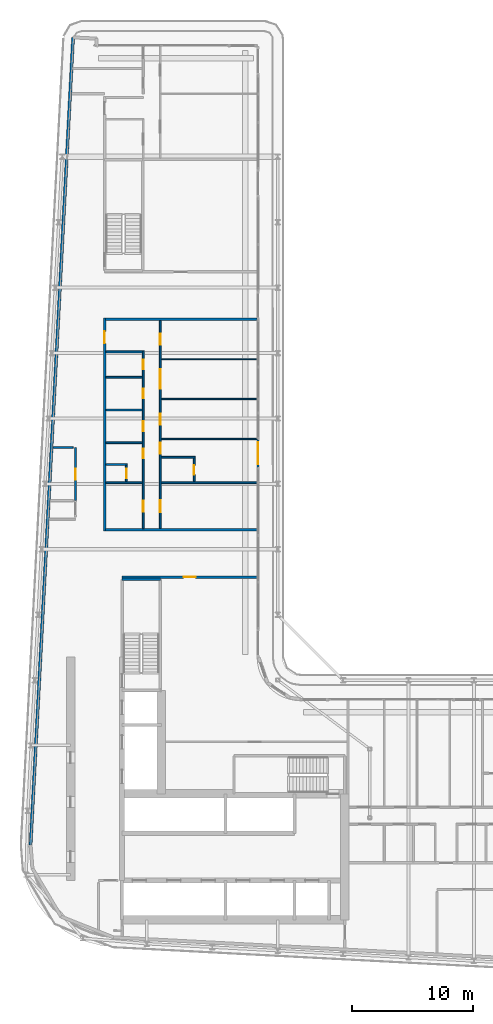
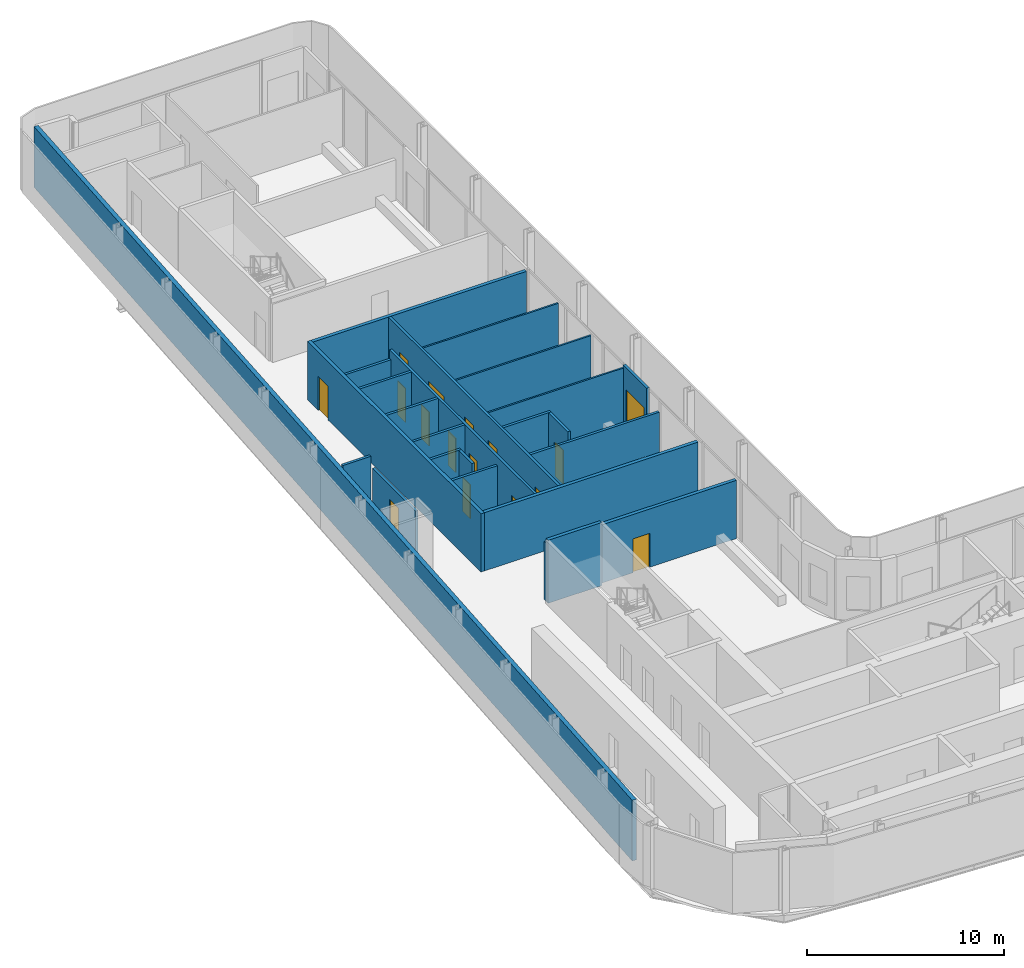
# One storey, part 14 of 23: 24 walls, 16 doors, 16 openings.
"""IFC4 building model written with IfcOpenShell, lengths in metres."""

from ifc_helpers import new_model, si_unit, direction, frame, frame_2d, origin, place, context, subcontext, project, spatial, rectangle, extrude, source, transform, mapped, material, layer, layer_set, type_object, element, fill, save


model = new_model("IFC4")

# Units and contexts
model_context = context("Model", 3, precision=1e-05, world=origin(), true_north=direction((0.0, 1.0)))
body_context = subcontext(model_context, "Body", "Model", "MODEL_VIEW")
ifc_project = project(units=[si_unit("LENGTHUNIT", "METRE"), si_unit("AREAUNIT", "SQUARE_METRE"), si_unit("VOLUMEUNIT", "CUBIC_METRE"), si_unit("PLANEANGLEUNIT", "RADIAN"), si_unit("MASSUNIT", "GRAM", prefix="KILO")], contexts=[model_context])

# Site, building, storey
site_placement = place(None, origin())
site = spatial("IfcSite", under=ifc_project, at=site_placement, CompositionType="ELEMENT")
building_placement = place(site_placement, origin())
building = spatial("IfcBuilding", under=site, at=building_placement, Name="Kheshtan School and Residences Tower", CompositionType="ELEMENT")
storey_placement = place(building_placement, frame((0.0, 0.0, 243.5)))
storey = spatial("IfcBuildingStorey", under=building, at=storey_placement, Name="L57", CompositionType="ELEMENT", Elevation=243.5)

# Wall, opening, door
ifc_material_1 = material(Name="Gypsum board on steel studs with fire boards", Category="steel")
ifc_layer_1 = layer(ifc_material_1, 0.199951171875)
ifc_layer_set_1 = layer_set([ifc_layer_1], Name="Corridor wall 200")
wall_type_1 = type_object("IfcWallType", Name="Corridor wall 200", PredefinedType="PARTITIONING", material=ifc_layer_set_1)
wall_1_placement = place(storey_placement, frame((33.300048828125, 57.89990234375, 0.0), z_axis=(0.0, 0.0, 1.0), x_axis=(0.0, 1.0, 0.0)))
wall_1 = element("IfcWall", 1, at=wall_1_placement, inside=storey, type_object=wall_type_1, Name="Partition L57-003", PredefinedType="PARTITIONING", context=body_context, shape_type="SweptSolid", body=[
    extrude(rectangle(XDim=17.60009765625, YDim=0.199951171875, at=frame_2d((8.800048828125, 0.0))), origin(), (0.0, 0.0, 1.0), 3.60009765625),
])
opening_1_placement = place(wall_1_placement, frame((15.5, 0.0, 0.0)))
opening_1 = element("IfcOpeningElement", 2, at=opening_1_placement, cuts=wall_1, Name="Opening D56-032", PredefinedType="OPENING", context=body_context, shape_type="SweptSolid", body=[
    extrude(rectangle(XDim=1.0, YDim=2.10009765625, at=frame_2d((0.5, 1.050048828125))), frame((0.0, 0.10986328125, 0.0), z_axis=(0.0, -1.0, 0.0), x_axis=(1.0, 0.0, 0.0)), (0.0, 0.0, 1.0), 0.219970703125),
])
ifc_material_2 = material(Name="Steel-framed fire-resisting door leaf", Category="steel")
door_type_1 = type_object("IfcDoorType", Name="Fire door FD30S 1000 x 2100", OperationType="SINGLE_SWING_LEFT", PredefinedType="DOOR", material=ifc_material_2)
shared_shape_1 = source(origin(), body_context, "Body", "SweptSolid", [
    extrude(rectangle(XDim=1.0, YDim=2.10009765625, at=frame_2d((0.5, 1.050048828125))), frame((0.0, 0.02490234375, 0.0), z_axis=(0.0, -1.0, 0.0), x_axis=(1.0, 0.0, 0.0)), (0.0, 0.0, 1.0), 0.050048828125),
])
door_1_placement = place(opening_1_placement, origin())
door_1 = element("IfcDoor", 3, at=door_1_placement, inside=storey, type_object=door_type_1, Name="Door D56-032", OperationType="SINGLE_SWING_RIGHT", OverallHeight=2.10009765625, OverallWidth=1.0, PredefinedType="DOOR", context=body_context, shape_type="MappedRepresentation", body=[
    mapped(shared_shape_1, transform((0.0, 0.0, 0.0), x_axis=(1.0, 0.0, 0.0), y_axis=(0.0, 1.0, 0.0), z_axis=(0.0, 0.0, 1.0), scale=1.0)),
])
fill(opening_1, door_1)

# Walls
for number, where, z_axis, x_axis, name in (
    (4, (33.39990234375, 58.0, 0.0), (0.0, 0.0, 1.0), (1.0, 0.0, 0.0), "Partition L57-006"),
    (5, (33.39990234375, 75.39990234375, 0.0), (0.0, 0.0, 1.0), (1.0, 0.0, 0.0), "Partition L57-013"),
):
    element("IfcWall", number, at=place(storey_placement, frame(where, z_axis=z_axis, x_axis=x_axis)), inside=storey, type_object=wall_type_1, Name=name, PredefinedType="PARTITIONING", context=body_context, shape_type="SweptSolid", body=[
        extrude(rectangle(XDim=12.5, YDim=0.199951171875, at=frame_2d((6.25, 0.0))), origin(), (0.0, 0.0, 1.0), 3.60009765625),
    ])

# Wall, opening, door
wall_2_placement = place(storey_placement, frame((34.75, 54.10009765625, 0.0), z_axis=(0.0, 0.0, 1.0), x_axis=(1.0, 0.0, 0.0)))
wall_2 = element("IfcWall", 6, at=wall_2_placement, inside=storey, type_object=wall_type_1, Name="Partition L57-018", PredefinedType="PARTITIONING", context=body_context, shape_type="SweptSolid", body=[
    extrude(rectangle(XDim=11.14990234375, YDim=0.199951171875, at=frame_2d((5.574951171875, 0.0))), origin(), (0.0, 0.0, 1.0), 3.60009765625),
])
opening_2_placement = place(wall_2_placement, frame((5.074951171875, 0.0, 0.0)))
opening_2 = element("IfcOpeningElement", 7, at=opening_2_placement, cuts=wall_2, Name="Opening D56-048", PredefinedType="OPENING", context=body_context, shape_type="SweptSolid", body=[
    extrude(rectangle(XDim=1.0, YDim=2.10009765625, at=frame_2d((0.5, 1.050048828125))), frame((0.0, 0.10986328125, 0.0), z_axis=(0.0, -1.0, 0.0), x_axis=(1.0, 0.0, 0.0)), (0.0, 0.0, 1.0), 0.219970703125),
])
door_type_2 = type_object("IfcDoorType", Name="Fire door FD60 1000 x 2100", OperationType="SINGLE_SWING_LEFT", PredefinedType="DOOR", material=ifc_material_2)
shared_shape_2 = source(origin(), body_context, "Body", "SweptSolid", [
    extrude(rectangle(XDim=1.0, YDim=2.10009765625, at=frame_2d((0.5, 1.050048828125))), frame((0.0, 0.02490234375, 0.0), z_axis=(0.0, -1.0, 0.0), x_axis=(1.0, 0.0, 0.0)), (0.0, 0.0, 1.0), 0.050048828125),
])
door_2_placement = place(opening_2_placement, origin())
door_2 = element("IfcDoor", 8, at=door_2_placement, inside=storey, type_object=door_type_2, Name="Door D56-048", OperationType="SINGLE_SWING_RIGHT", OverallHeight=2.10009765625, OverallWidth=1.0, PredefinedType="DOOR", context=body_context, shape_type="MappedRepresentation", body=[
    mapped(shared_shape_2, transform((0.0, 0.0, 0.0), x_axis=(1.0, 0.0, 0.0), y_axis=(0.0, 1.0, 0.0), z_axis=(0.0, 0.0, 1.0), scale=1.0)),
])
fill(opening_2, door_2)

# Wall
ifc_material_3 = material(Name="Concrete C40/50 with ceramic cladding and mineral wool insulation", Category="concrete")
ifc_layer_2 = layer(ifc_material_3, 0.25)
ifc_layer_set_2 = layer_set([ifc_layer_2], Name="External wall 250 ceramic clad")
wall_type_2 = type_object("IfcWallType", Name="External wall 250 ceramic clad", PredefinedType="SOLIDWALL", material=ifc_layer_set_2)
wall_3_placement = place(storey_placement, frame((27.195068359375, 31.968994140625, 0.0), z_axis=(0.0, 0.0, 1.0), x_axis=(0.052554995867, 0.998618031286, 0.0)))
element("IfcWall", 9, at=wall_3_placement, inside=storey, type_object=wall_type_2, Name="External wall L57 4", PredefinedType="SOLIDWALL", context=body_context, shape_type="SweptSolid", body=[
    extrude(rectangle(XDim=66.787353515625, YDim=0.25, at=frame_2d((33.3935546875, 0.0))), origin(), (0.0, 0.0, 1.0), 3.75),
])

# Wall, opening, door
ifc_material_4 = material(Name="Aluminium frame wall with insulated infill", Category="aluminium")
ifc_layer_3 = layer(ifc_material_4, 0.14990234375)
ifc_layer_set_3 = layer_set([ifc_layer_3], Name="Glazing frame wall 150")
wall_type_3 = type_object("IfcWallType", Name="Glazing frame wall 150", PredefinedType="SOLIDWALL", material=ifc_layer_set_3)
wall_4_placement = place(storey_placement, frame((45.97509765625, 65.51806640625, 0.0), z_axis=(0.0, 0.0, 1.0), x_axis=(0.0, -1.0, 0.0)))
wall_4 = element("IfcWall", 10, at=wall_4_placement, inside=storey, type_object=wall_type_3, Name="Balcony door wall L57 8.4", PredefinedType="SOLIDWALL", context=body_context, shape_type="SweptSolid", body=[
    extrude(rectangle(XDim=2.400146484375, YDim=0.14990234375, at=frame_2d((1.2001953125, 0.0))), origin(), (0.0, 0.0, 1.0), 3.75),
])
opening_3_placement = place(wall_4_placement, frame((0.300048828125, 0.0, 0.0)))
opening_3 = element("IfcOpeningElement", 11, at=opening_3_placement, cuts=wall_4, Name="Opening BD", PredefinedType="OPENING", context=body_context, shape_type="SweptSolid", body=[
    extrude(rectangle(XDim=1.800048828125, YDim=2.39990234375, at=frame_2d((0.89990234375, 1.199951171875))), frame((0.0, 0.0849609375, 0.0), z_axis=(0.0, -1.0, 0.0), x_axis=(1.0, 0.0, 0.0)), (0.0, 0.0, 1.0), 0.169921875),
])
ifc_material_5 = material(Name="Clear low-e glass in thermally broken aluminium frame", Category="aluminium")
door_type_3 = type_object("IfcDoorType", Name="Balcony sliding door", OperationType="SLIDING_TO_LEFT", PredefinedType="DOOR", material=ifc_material_5)
shared_shape_3 = source(origin(), body_context, "Body", "SweptSolid", [
    extrude(rectangle(XDim=1.800048828125, YDim=2.39990234375, at=frame_2d((0.89990234375, 1.199951171875))), frame((0.0, 0.02490234375, 0.0), z_axis=(0.0, -1.0, 0.0), x_axis=(1.0, 0.0, 0.0)), (0.0, 0.0, 1.0), 0.050048828125),
])
door_3_placement = place(opening_3_placement, origin())
door_3 = element("IfcDoor", 12, at=door_3_placement, inside=storey, type_object=door_type_3, Name="Balcony door L57 8.4", OperationType="SLIDING_TO_LEFT", OverallHeight=2.39990234375, OverallWidth=1.800048828125, PredefinedType="DOOR", context=body_context, shape_type="MappedRepresentation", body=[
    mapped(shared_shape_3, transform((0.0, 0.0, 0.0), x_axis=(1.0, 0.0, 0.0), y_axis=(0.0, 1.0, 0.0), z_axis=(0.0, 0.0, 1.0), scale=1.0)),
])
fill(opening_3, door_3)

# Walls
ifc_material_6 = material(Name="Gypsum board on steel studs", Category="steel")
ifc_layer_4 = layer(ifc_material_6, 0.10009765625)
ifc_layer_set_4 = layer_set([ifc_layer_4], Name="Gypsum partition 100")
wall_type_4 = type_object("IfcWallType", Name="Gypsum partition 100", PredefinedType="PARTITIONING", material=ifc_layer_set_4)
for number, where, z_axis, x_axis, name in (
    (13, (37.97509765625, 65.5, 0.0), (0.0, 0.0, 1.0), (1.0, 0.0, 0.0), "Partition L57-029"),
    (14, (37.97509765625, 68.800048828125, 0.0), (0.0, 0.0, 1.0), (1.0, 0.0, 0.0), "Partition L57-030"),
    (15, (37.97509765625, 72.10009765625, 0.0), (0.0, 0.0, 1.0), (1.0, 0.0, 0.0), "Partition L57-031"),
):
    element("IfcWall", number, at=place(storey_placement, frame(where, z_axis=z_axis, x_axis=x_axis)), inside=storey, type_object=wall_type_4, Name=name, PredefinedType="PARTITIONING", context=body_context, shape_type="SweptSolid", body=[
        extrude(rectangle(XDim=7.9248046875, YDim=0.10009765625, at=frame_2d((3.96240234375, 0.0))), origin(), (0.0, 0.0, 1.0), 3.60009765625),
    ])

# Wall, opening, door
ifc_material_7 = material(Name="Fire-board shaft wall system")
ifc_layer_5 = layer(ifc_material_7, 0.14990234375)
ifc_layer_set_5 = layer_set([ifc_layer_5], Name="Service room wall 150")
wall_type_5 = type_object("IfcWallType", Name="Service room wall 150", PredefinedType="PARTITIONING", material=ifc_layer_set_5)
wall_5_placement = place(storey_placement, frame((30.89990234375, 60.4140625, 0.0), z_axis=(0.0, 0.0, 1.0), x_axis=(0.0, 1.0, 0.0)))
wall_5 = element("IfcWall", 16, at=wall_5_placement, inside=storey, type_object=wall_type_5, Name="Service room wall", PredefinedType="PARTITIONING", context=body_context, shape_type="SweptSolid", body=[
    extrude(rectangle(XDim=4.385986328125, YDim=0.14990234375, at=frame_2d((2.19287109375, 0.0))), origin(), (0.0, 0.0, 1.0), 3.072021484375),
])
opening_4_placement = place(wall_5_placement, frame((1.742919921875, 0.0, 0.0)))
opening_4 = element("IfcOpeningElement", 17, at=opening_4_placement, cuts=wall_5, Name="Opening SR90", PredefinedType="OPENING", context=body_context, shape_type="SweptSolid", body=[
    extrude(rectangle(XDim=0.89990234375, YDim=2.199951171875, at=frame_2d((0.449951171875, 1.10009765625))), frame((0.0, 0.0849609375, 0.0), z_axis=(0.0, -1.0, 0.0), x_axis=(1.0, 0.0, 0.0)), (0.0, 0.0, 1.0), 0.169921875),
])
ifc_material_8 = material(Name="Steel door leaf, galvanised", Category="steel")
door_type_4 = type_object("IfcDoorType", Name="Service room door 900 steel 90 min", OperationType="SINGLE_SWING_LEFT", PredefinedType="DOOR", material=ifc_material_8)
shared_shape_4 = source(origin(), body_context, "Body", "SweptSolid", [
    extrude(rectangle(XDim=0.89990234375, YDim=2.199951171875, at=frame_2d((0.449951171875, 1.10009765625))), frame((0.0, 0.02490234375, 0.0), z_axis=(0.0, -1.0, 0.0), x_axis=(1.0, 0.0, 0.0)), (0.0, 0.0, 1.0), 0.050048828125),
])
door_4_placement = place(opening_4_placement, origin())
door_4 = element("IfcDoor", 18, at=door_4_placement, inside=storey, type_object=door_type_4, Name="Service room door", OperationType="SINGLE_SWING_LEFT", OverallHeight=2.199951171875, OverallWidth=0.89990234375, PredefinedType="DOOR", context=body_context, shape_type="MappedRepresentation", body=[
    mapped(shared_shape_4, transform((0.0, 0.0, 0.0), x_axis=(1.0, 0.0, 0.0), y_axis=(0.0, 1.0, 0.0), z_axis=(0.0, 0.0, 1.0), scale=1.0)),
])
fill(opening_4, door_4)

# Walls
wall_6_placement = place(storey_placement, frame((29.050048828125, 64.800048828125, 0.0), z_axis=(0.0, 0.0, 1.0), x_axis=(1.0, 0.0, 0.0)))
element("IfcWall", 19, at=wall_6_placement, inside=storey, type_object=wall_type_5, Name="Service room wall", PredefinedType="PARTITIONING", context=body_context, shape_type="SweptSolid", body=[
    extrude(rectangle(XDim=1.655029296875, YDim=0.14990234375, at=frame_2d((0.82763671875, 0.0))), origin(), (0.0, 0.0, 1.0), 3.89990234375),
])
ifc_material_9 = material(Name="Concrete C40/50", Category="concrete")
ifc_layer_6 = layer(ifc_material_9, 0.199951171875)
ifc_layer_set_6 = layer_set([ifc_layer_6], Name="Stair enclosure wall 200 Concrete C40/50")
wall_type_6 = type_object("IfcWallType", Name="Stair enclosure wall 200 Concrete C40/50", PredefinedType="SHEAR", material=ifc_layer_set_6)
wall_7_placement = place(storey_placement, frame((34.75, 53.909912109375, 0.0), z_axis=(0.0, 0.0, 1.0), x_axis=(1.0, 0.0, 0.0)))
element("IfcWall", 20, at=wall_7_placement, inside=storey, type_object=wall_type_6, Name="Stair enclosure wall ST2", PredefinedType="SHEAR", context=body_context, shape_type="SweptSolid", body=[
    extrude(rectangle(XDim=3.14990234375, YDim=0.199951171875, at=frame_2d((1.574951171875, 0.0))), origin(), (0.0, 0.0, 1.0), 3.89990234375),
])
ifc_material_10 = material(Name="Moisture-resistant gypsum board on steel studs", Category="steel")
ifc_layer_7 = layer(ifc_material_10, 0.14990234375)
ifc_layer_set_7 = layer_set([ifc_layer_7], Name="Wet-room partition 150")
wall_type_7 = type_object("IfcWallType", Name="Wet-room partition 150", PredefinedType="PARTITIONING", material=ifc_layer_set_7)
wall_8_placement = place(storey_placement, frame((33.39990234375, 61.89990234375, 0.0), z_axis=(0.0, 0.0, 1.0), x_axis=(1.0, 0.0, 0.0)))
element("IfcWall", 21, at=wall_8_placement, inside=storey, type_object=wall_type_7, Name="Partition L57-007", PredefinedType="PARTITIONING", context=body_context, shape_type="SweptSolid", body=[
    extrude(rectangle(XDim=3.025146484375, YDim=0.14990234375, at=frame_2d((1.5126953125, 0.0))), origin(), (0.0, 0.0, 1.0), 3.072021484375),
])
wall_9_placement = place(storey_placement, frame((33.39990234375, 63.39990234375, 0.0), z_axis=(0.0, 0.0, 1.0), x_axis=(1.0, 0.0, 0.0)))
element("IfcWall", 22, at=wall_9_placement, inside=storey, type_object=wall_type_7, Name="Partition L57-008", PredefinedType="PARTITIONING", context=body_context, shape_type="SweptSolid", body=[
    extrude(rectangle(XDim=1.775146484375, YDim=0.14990234375, at=frame_2d((0.8876953125, 0.0))), origin(), (0.0, 0.0, 1.0), 3.60009765625),
])
for number, where, z_axis, x_axis, name in (
    (23, (33.39990234375, 65.199951171875, 0.0), (0.0, 0.0, 1.0), (1.0, 0.0, 0.0), "Partition L57-009"),
    (24, (33.39990234375, 67.89990234375, 0.0), (0.0, 0.0, 1.0), (1.0, 0.0, 0.0), "Partition L57-010"),
    (25, (33.39990234375, 70.60009765625, 0.0), (0.0, 0.0, 1.0), (1.0, 0.0, 0.0), "Partition L57-011"),
):
    element("IfcWall", number, at=place(storey_placement, frame(where, z_axis=z_axis, x_axis=x_axis)), inside=storey, type_object=wall_type_7, Name=name, PredefinedType="PARTITIONING", context=body_context, shape_type="SweptSolid", body=[
        extrude(rectangle(XDim=3.025146484375, YDim=0.14990234375, at=frame_2d((1.5126953125, 0.0))), origin(), (0.0, 0.0, 1.0), 3.60009765625),
    ])
wall_10_placement = place(storey_placement, frame((33.39990234375, 72.699951171875, 0.0), z_axis=(0.0, 0.0, 1.0), x_axis=(1.0, 0.0, 0.0)))
element("IfcWall", 26, at=wall_10_placement, inside=storey, type_object=wall_type_7, Name="Partition L57-012", PredefinedType="PARTITIONING", context=body_context, shape_type="SweptSolid", body=[
    extrude(rectangle(XDim=3.025146484375, YDim=0.14990234375, at=frame_2d((1.5126953125, 0.0))), origin(), (0.0, 0.0, 1.0), 3.072021484375),
])

# Wall, opening, door
wall_11_placement = place(storey_placement, frame((35.10009765625, 61.97509765625, 0.0), z_axis=(0.0, 0.0, 1.0), x_axis=(0.0, 1.0, 0.0)))
wall_11 = element("IfcWall", 27, at=wall_11_placement, inside=storey, type_object=wall_type_7, Name="Partition L57-019", PredefinedType="PARTITIONING", context=body_context, shape_type="SweptSolid", body=[
    extrude(rectangle(XDim=1.349853515625, YDim=0.14990234375, at=frame_2d((0.6748046875, 0.0))), origin(), (0.0, 0.0, 1.0), 3.60009765625),
])
opening_5_placement = place(wall_11_placement, frame((0.27490234375, 0.0, 0.0)))
opening_5 = element("IfcOpeningElement", 28, at=opening_5_placement, cuts=wall_11, Name="Opening D56-036", PredefinedType="OPENING", context=body_context, shape_type="SweptSolid", body=[
    extrude(rectangle(XDim=0.800048828125, YDim=2.10009765625, at=frame_2d((0.39990234375, 1.050048828125))), frame((0.0, 0.0849609375, 0.0), z_axis=(0.0, -1.0, 0.0), x_axis=(1.0, 0.0, 0.0)), (0.0, 0.0, 1.0), 0.169921875),
])
ifc_material_11 = material(Name="Veneered timber door leaf", Category="wood")
door_type_5 = type_object("IfcDoorType", Name="Door 800 x 2100", OperationType="SINGLE_SWING_LEFT", PredefinedType="DOOR", material=ifc_material_11)
shared_shape_5 = source(origin(), body_context, "Body", "SweptSolid", [
    extrude(rectangle(XDim=0.800048828125, YDim=2.10009765625, at=frame_2d((0.39990234375, 1.050048828125))), frame((0.0, 0.02490234375, 0.0), z_axis=(0.0, -1.0, 0.0), x_axis=(1.0, 0.0, 0.0)), (0.0, 0.0, 1.0), 0.050048828125),
])
door_5_placement = place(opening_5_placement, origin())
door_5 = element("IfcDoor", 29, at=door_5_placement, inside=storey, type_object=door_type_5, Name="Door D56-036", OperationType="SINGLE_SWING_LEFT", OverallHeight=2.10009765625, OverallWidth=0.800048828125, PredefinedType="DOOR", context=body_context, shape_type="MappedRepresentation", body=[
    mapped(shared_shape_5, transform((0.0, 0.0, 0.0), x_axis=(1.0, 0.0, 0.0), y_axis=(0.0, 1.0, 0.0), z_axis=(0.0, 0.0, 1.0), scale=1.0)),
])
fill(opening_5, door_5)

# Wall, openings, doors
wall_12_placement = place(storey_placement, frame((36.5, 58.10009765625, 0.0), z_axis=(0.0, 0.0, 1.0), x_axis=(0.0, 1.0, 0.0)))
wall_12 = element("IfcWall", 30, at=wall_12_placement, inside=storey, type_object=wall_type_7, Name="Partition L57-021", PredefinedType="PARTITIONING", context=body_context, shape_type="SweptSolid", body=[
    extrude(rectangle(XDim=14.6748046875, YDim=0.14990234375, at=frame_2d((7.33740234375, 0.0))), origin(), (0.0, 0.0, 1.0), 3.60009765625),
])
opening_6_placement = place(wall_12_placement, frame((8.050048828125, 0.0, 0.0)))
opening_6 = element("IfcOpeningElement", 31, at=opening_6_placement, cuts=wall_12, Name="Opening D56-027", PredefinedType="OPENING", context=body_context, shape_type="SweptSolid", body=[
    extrude(rectangle(XDim=0.800048828125, YDim=2.10009765625, at=frame_2d((0.39990234375, 1.050048828125))), frame((0.0, 0.0849609375, 0.0), z_axis=(0.0, -1.0, 0.0), x_axis=(1.0, 0.0, 0.0)), (0.0, 0.0, 1.0), 0.169921875),
])
opening_7_placement = place(wall_12_placement, frame((10.75, 0.0, 0.0)))
opening_7 = element("IfcOpeningElement", 32, at=opening_7_placement, cuts=wall_12, Name="Opening D56-028", PredefinedType="OPENING", context=body_context, shape_type="SweptSolid", body=[
    extrude(rectangle(XDim=0.800048828125, YDim=2.10009765625, at=frame_2d((0.39990234375, 1.050048828125))), frame((0.0, 0.0849609375, 0.0), z_axis=(0.0, -1.0, 0.0), x_axis=(1.0, 0.0, 0.0)), (0.0, 0.0, 1.0), 0.169921875),
])
opening_8_placement = place(wall_12_placement, frame((1.39990234375, 0.0, 0.0)))
opening_8 = element("IfcOpeningElement", 33, at=opening_8_placement, cuts=wall_12, Name="Opening D56-033", PredefinedType="OPENING", context=body_context, shape_type="SweptSolid", body=[
    extrude(rectangle(XDim=0.89990234375, YDim=2.10009765625, at=frame_2d((0.449951171875, 1.050048828125))), frame((0.0, 0.0849609375, 0.0), z_axis=(0.0, -1.0, 0.0), x_axis=(1.0, 0.0, 0.0)), (0.0, 0.0, 1.0), 0.169921875),
])
opening_9_placement = place(wall_12_placement, frame((5.800048828125, 0.0, 0.0)))
opening_9 = element("IfcOpeningElement", 34, at=opening_9_placement, cuts=wall_12, Name="Opening D56-035", PredefinedType="OPENING", context=body_context, shape_type="SweptSolid", body=[
    extrude(rectangle(XDim=0.800048828125, YDim=2.10009765625, at=frame_2d((0.39990234375, 1.050048828125))), frame((0.0, 0.0849609375, 0.0), z_axis=(0.0, -1.0, 0.0), x_axis=(1.0, 0.0, 0.0)), (0.0, 0.0, 1.0), 0.169921875),
])
opening_10_placement = place(wall_12_placement, frame((13.14990234375, 0.0, 0.0)))
opening_10 = element("IfcOpeningElement", 35, at=opening_10_placement, cuts=wall_12, Name="Opening D56-039", PredefinedType="OPENING", context=body_context, shape_type="SweptSolid", body=[
    extrude(rectangle(XDim=0.800048828125, YDim=2.10009765625, at=frame_2d((0.39990234375, 1.050048828125))), frame((0.0, 0.0849609375, 0.0), z_axis=(0.0, -1.0, 0.0), x_axis=(1.0, 0.0, 0.0)), (0.0, 0.0, 1.0), 0.169921875),
])
door_6_placement = place(opening_6_placement, origin())
door_6 = element("IfcDoor", 36, at=door_6_placement, inside=storey, type_object=door_type_5, Name="Door D56-027", OperationType="SINGLE_SWING_RIGHT", OverallHeight=2.10009765625, OverallWidth=0.800048828125, PredefinedType="DOOR", context=body_context, shape_type="MappedRepresentation", body=[
    mapped(shared_shape_5, transform((0.0, 0.0, 0.0), x_axis=(1.0, 0.0, 0.0), y_axis=(0.0, 1.0, 0.0), z_axis=(0.0, 0.0, 1.0), scale=1.0)),
])
fill(opening_6, door_6)
door_7_placement = place(opening_7_placement, origin())
door_7 = element("IfcDoor", 37, at=door_7_placement, inside=storey, type_object=door_type_5, Name="Door D56-028", OperationType="SINGLE_SWING_RIGHT", OverallHeight=2.10009765625, OverallWidth=0.800048828125, PredefinedType="DOOR", context=body_context, shape_type="MappedRepresentation", body=[
    mapped(shared_shape_5, transform((0.0, 0.0, 0.0), x_axis=(1.0, 0.0, 0.0), y_axis=(0.0, 1.0, 0.0), z_axis=(0.0, 0.0, 1.0), scale=1.0)),
])
fill(opening_7, door_7)
door_8_placement = place(opening_9_placement, origin())
door_8 = element("IfcDoor", 38, at=door_8_placement, inside=storey, type_object=door_type_5, Name="Door D56-035", OperationType="SINGLE_SWING_RIGHT", OverallHeight=2.10009765625, OverallWidth=0.800048828125, PredefinedType="DOOR", context=body_context, shape_type="MappedRepresentation", body=[
    mapped(shared_shape_5, transform((0.0, 0.0, 0.0), x_axis=(1.0, 0.0, 0.0), y_axis=(0.0, 1.0, 0.0), z_axis=(0.0, 0.0, 1.0), scale=1.0)),
])
fill(opening_9, door_8)
door_9_placement = place(opening_10_placement, origin())
door_9 = element("IfcDoor", 39, at=door_9_placement, inside=storey, type_object=door_type_5, Name="Door D56-039", OperationType="SINGLE_SWING_RIGHT", OverallHeight=2.10009765625, OverallWidth=0.800048828125, PredefinedType="DOOR", context=body_context, shape_type="MappedRepresentation", body=[
    mapped(shared_shape_5, transform((0.0, 0.0, 0.0), x_axis=(1.0, 0.0, 0.0), y_axis=(0.0, 1.0, 0.0), z_axis=(0.0, 0.0, 1.0), scale=1.0)),
])
fill(opening_10, door_9)
door_type_6 = type_object("IfcDoorType", Name="Door 900 x 2100", OperationType="SINGLE_SWING_LEFT", PredefinedType="DOOR", material=ifc_material_11)
shared_shape_6 = source(origin(), body_context, "Body", "SweptSolid", [
    extrude(rectangle(XDim=0.89990234375, YDim=2.10009765625, at=frame_2d((0.449951171875, 1.050048828125))), frame((0.0, 0.02490234375, 0.0), z_axis=(0.0, -1.0, 0.0), x_axis=(1.0, 0.0, 0.0)), (0.0, 0.0, 1.0), 0.050048828125),
])
door_10_placement = place(opening_8_placement, origin())
door_10 = element("IfcDoor", 40, at=door_10_placement, inside=storey, type_object=door_type_6, Name="Door D56-033", OperationType="SINGLE_SWING_RIGHT", OverallHeight=2.10009765625, OverallWidth=0.89990234375, PredefinedType="DOOR", context=body_context, shape_type="MappedRepresentation", body=[
    mapped(shared_shape_6, transform((0.0, 0.0, 0.0), x_axis=(1.0, 0.0, 0.0), y_axis=(0.0, 1.0, 0.0), z_axis=(0.0, 0.0, 1.0), scale=1.0)),
])
fill(opening_8, door_10)

wall_13_placement = place(storey_placement, frame((37.89990234375, 58.10009765625, 0.0), z_axis=(0.0, 0.0, 1.0), x_axis=(0.0, 1.0, 0.0)))
wall_13 = element("IfcWall", 41, at=wall_13_placement, inside=storey, type_object=wall_type_7, Name="Partition L57-024", PredefinedType="PARTITIONING", context=body_context, shape_type="SweptSolid", body=[
    extrude(rectangle(XDim=17.199951171875, YDim=0.14990234375, at=frame_2d((8.60009765625, 0.0))), origin(), (0.0, 0.0, 1.0), 3.60009765625),
])
opening_11_placement = place(wall_13_placement, frame((8.60009765625, 0.0, 0.0)))
opening_11 = element("IfcOpeningElement", 42, at=opening_11_placement, cuts=wall_13, Name="Opening D56-029", PredefinedType="OPENING", context=body_context, shape_type="SweptSolid", body=[
    extrude(rectangle(XDim=0.89990234375, YDim=2.10009765625, at=frame_2d((0.449951171875, 1.050048828125))), frame((0.0, 0.0849609375, 0.0), z_axis=(0.0, -1.0, 0.0), x_axis=(1.0, 0.0, 0.0)), (0.0, 0.0, 1.0), 0.169921875),
])
opening_12_placement = place(wall_13_placement, frame((15.199951171875, 0.0, 0.0)))
opening_12 = element("IfcOpeningElement", 43, at=opening_12_placement, cuts=wall_13, Name="Opening D56-030", PredefinedType="OPENING", context=body_context, shape_type="SweptSolid", body=[
    extrude(rectangle(XDim=0.89990234375, YDim=2.10009765625, at=frame_2d((0.449951171875, 1.050048828125))), frame((0.0, 0.0849609375, 0.0), z_axis=(0.0, -1.0, 0.0), x_axis=(1.0, 0.0, 0.0)), (0.0, 0.0, 1.0), 0.169921875),
])
opening_13_placement = place(wall_13_placement, frame((1.35009765625, 0.0, 0.0)))
opening_13 = element("IfcOpeningElement", 44, at=opening_13_placement, cuts=wall_13, Name="Opening D56-034", PredefinedType="OPENING", context=body_context, shape_type="SweptSolid", body=[
    extrude(rectangle(XDim=1.0, YDim=2.10009765625, at=frame_2d((0.5, 1.050048828125))), frame((0.0, 0.0849609375, 0.0), z_axis=(0.0, -1.0, 0.0), x_axis=(1.0, 0.0, 0.0)), (0.0, 0.0, 1.0), 0.169921875),
])
opening_14_placement = place(wall_13_placement, frame((11.550048828125, 0.0, 0.0)))
opening_14 = element("IfcOpeningElement", 45, at=opening_14_placement, cuts=wall_13, Name="Opening D56-037", PredefinedType="OPENING", context=body_context, shape_type="SweptSolid", body=[
    extrude(rectangle(XDim=1.60009765625, YDim=2.10009765625, at=frame_2d((0.800048828125, 1.050048828125))), frame((0.0, 0.0849609375, 0.0), z_axis=(0.0, -1.0, 0.0), x_axis=(1.0, 0.0, 0.0)), (0.0, 0.0, 1.0), 0.169921875),
])
opening_15_placement = place(wall_13_placement, frame((6.199951171875, 0.0, 0.0)))
opening_15 = element("IfcOpeningElement", 46, at=opening_15_placement, cuts=wall_13, Name="Opening D56-038", PredefinedType="OPENING", context=body_context, shape_type="SweptSolid", body=[
    extrude(rectangle(XDim=0.89990234375, YDim=2.10009765625, at=frame_2d((0.449951171875, 1.050048828125))), frame((0.0, 0.0849609375, 0.0), z_axis=(0.0, -1.0, 0.0), x_axis=(1.0, 0.0, 0.0)), (0.0, 0.0, 1.0), 0.169921875),
])
door_type_7 = type_object("IfcDoorType", Name="Door 1000 x 2100", OperationType="SINGLE_SWING_LEFT", PredefinedType="DOOR", material=ifc_material_11)
shared_shape_7 = source(origin(), body_context, "Body", "SweptSolid", [
    extrude(rectangle(XDim=1.0, YDim=2.10009765625, at=frame_2d((0.5, 1.050048828125))), frame((0.0, 0.02490234375, 0.0), z_axis=(0.0, -1.0, 0.0), x_axis=(1.0, 0.0, 0.0)), (0.0, 0.0, 1.0), 0.050048828125),
])
door_11_placement = place(opening_13_placement, origin())
door_11 = element("IfcDoor", 47, at=door_11_placement, inside=storey, type_object=door_type_7, Name="Door D56-034", OperationType="SINGLE_SWING_LEFT", OverallHeight=2.10009765625, OverallWidth=1.0, PredefinedType="DOOR", context=body_context, shape_type="MappedRepresentation", body=[
    mapped(shared_shape_7, transform((0.0, 0.0, 0.0), x_axis=(1.0, 0.0, 0.0), y_axis=(0.0, 1.0, 0.0), z_axis=(0.0, 0.0, 1.0), scale=1.0)),
])
fill(opening_13, door_11)
door_12_placement = place(opening_11_placement, origin())
door_12 = element("IfcDoor", 48, at=door_12_placement, inside=storey, type_object=door_type_6, Name="Door D56-029", OperationType="SINGLE_SWING_LEFT", OverallHeight=2.10009765625, OverallWidth=0.89990234375, PredefinedType="DOOR", context=body_context, shape_type="MappedRepresentation", body=[
    mapped(shared_shape_6, transform((0.0, 0.0, 0.0), x_axis=(1.0, 0.0, 0.0), y_axis=(0.0, 1.0, 0.0), z_axis=(0.0, 0.0, 1.0), scale=1.0)),
])
fill(opening_11, door_12)
door_13_placement = place(opening_12_placement, origin())
door_13 = element("IfcDoor", 49, at=door_13_placement, inside=storey, type_object=door_type_6, Name="Door D56-030", OperationType="SINGLE_SWING_LEFT", OverallHeight=2.10009765625, OverallWidth=0.89990234375, PredefinedType="DOOR", context=body_context, shape_type="MappedRepresentation", body=[
    mapped(shared_shape_6, transform((0.0, 0.0, 0.0), x_axis=(1.0, 0.0, 0.0), y_axis=(0.0, 1.0, 0.0), z_axis=(0.0, 0.0, 1.0), scale=1.0)),
])
fill(opening_12, door_13)
door_14_placement = place(opening_15_placement, origin())
door_14 = element("IfcDoor", 50, at=door_14_placement, inside=storey, type_object=door_type_6, Name="Door D56-038", OperationType="SINGLE_SWING_LEFT", OverallHeight=2.10009765625, OverallWidth=0.89990234375, PredefinedType="DOOR", context=body_context, shape_type="MappedRepresentation", body=[
    mapped(shared_shape_6, transform((0.0, 0.0, 0.0), x_axis=(1.0, 0.0, 0.0), y_axis=(0.0, 1.0, 0.0), z_axis=(0.0, 0.0, 1.0), scale=1.0)),
])
fill(opening_15, door_14)
door_type_8 = type_object("IfcDoorType", Name="Double door 1600 x 2100", OperationType="DOUBLE_DOOR_SINGLE_SWING", PredefinedType="DOOR", material=ifc_material_11)
shared_shape_8 = source(origin(), body_context, "Body", "SweptSolid", [
    extrude(rectangle(XDim=1.60009765625, YDim=2.10009765625, at=frame_2d((0.800048828125, 1.050048828125))), frame((0.0, 0.02490234375, 0.0), z_axis=(0.0, -1.0, 0.0), x_axis=(1.0, 0.0, 0.0)), (0.0, 0.0, 1.0), 0.050048828125),
])
door_15_placement = place(opening_14_placement, origin())
door_15 = element("IfcDoor", 51, at=door_15_placement, inside=storey, type_object=door_type_8, Name="Door D56-037", OperationType="DOUBLE_DOOR_SINGLE_SWING", OverallHeight=2.10009765625, OverallWidth=1.60009765625, PredefinedType="DOOR", context=body_context, shape_type="MappedRepresentation", body=[
    mapped(shared_shape_8, transform((0.0, 0.0, 0.0), x_axis=(1.0, 0.0, 0.0), y_axis=(0.0, 1.0, 0.0), z_axis=(0.0, 0.0, 1.0), scale=1.0)),
])
fill(opening_14, door_15)

# Walls
wall_14_placement = place(storey_placement, frame((37.97509765625, 61.89990234375, 0.0), z_axis=(0.0, 0.0, 1.0), x_axis=(1.0, 0.0, 0.0)))
element("IfcWall", 52, at=wall_14_placement, inside=storey, type_object=wall_type_7, Name="Partition L57-027", PredefinedType="PARTITIONING", context=body_context, shape_type="SweptSolid", body=[
    extrude(rectangle(XDim=7.9248046875, YDim=0.14990234375, at=frame_2d((3.96240234375, 0.0))), origin(), (0.0, 0.0, 1.0), 3.072021484375),
])
wall_15_placement = place(storey_placement, frame((37.97509765625, 64.0, 0.0), z_axis=(0.0, 0.0, 1.0), x_axis=(1.0, 0.0, 0.0)))
element("IfcWall", 53, at=wall_15_placement, inside=storey, type_object=wall_type_7, Name="Partition L57-028", PredefinedType="PARTITIONING", context=body_context, shape_type="SweptSolid", body=[
    extrude(rectangle(XDim=2.7998046875, YDim=0.14990234375, at=frame_2d((1.39990234375, 0.0))), origin(), (0.0, 0.0, 1.0), 3.60009765625),
])

# Wall, opening, door
wall_16_placement = place(storey_placement, frame((40.699951171875, 61.97509765625, 0.0), z_axis=(0.0, 0.0, 1.0), x_axis=(0.0, 1.0, 0.0)))
wall_16 = element("IfcWall", 54, at=wall_16_placement, inside=storey, type_object=wall_type_7, Name="Partition L57-033", PredefinedType="PARTITIONING", context=body_context, shape_type="SweptSolid", body=[
    extrude(rectangle(XDim=1.949951171875, YDim=0.14990234375, at=frame_2d((0.97509765625, 0.0))), origin(), (0.0, 0.0, 1.0), 3.60009765625),
])
opening_16_placement = place(wall_16_placement, frame((0.574951171875, 0.0, 0.0)))
opening_16 = element("IfcOpeningElement", 55, at=opening_16_placement, cuts=wall_16, Name="Opening D56-031", PredefinedType="OPENING", context=body_context, shape_type="SweptSolid", body=[
    extrude(rectangle(XDim=0.800048828125, YDim=2.10009765625, at=frame_2d((0.39990234375, 1.050048828125))), frame((0.0, 0.0849609375, 0.0), z_axis=(0.0, -1.0, 0.0), x_axis=(1.0, 0.0, 0.0)), (0.0, 0.0, 1.0), 0.169921875),
])
door_16_placement = place(opening_16_placement, origin())
door_16 = element("IfcDoor", 56, at=door_16_placement, inside=storey, type_object=door_type_5, Name="Door D56-031", OperationType="SINGLE_SWING_RIGHT", OverallHeight=2.10009765625, OverallWidth=0.800048828125, PredefinedType="DOOR", context=body_context, shape_type="MappedRepresentation", body=[
    mapped(shared_shape_5, transform((0.0, 0.0, 0.0), x_axis=(1.0, 0.0, 0.0), y_axis=(0.0, 1.0, 0.0), z_axis=(0.0, 0.0, 1.0), scale=1.0)),
])
fill(opening_16, door_16)

save(model, "model.ifc")
